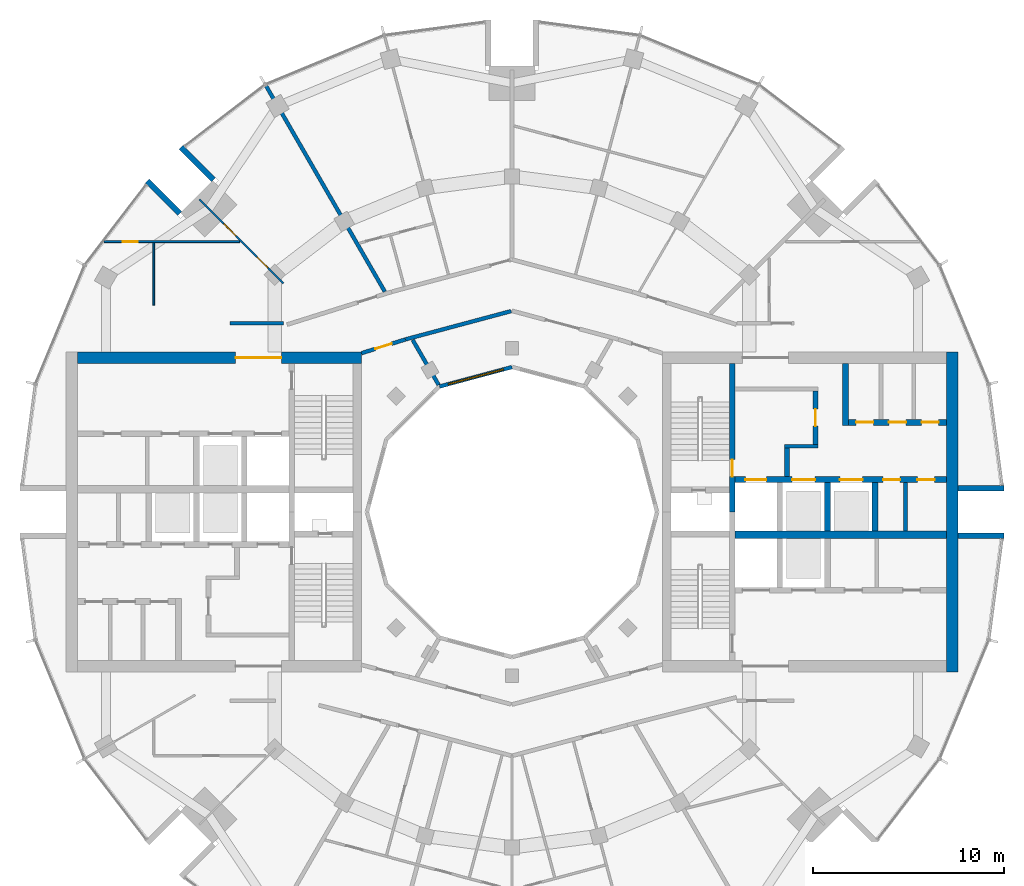
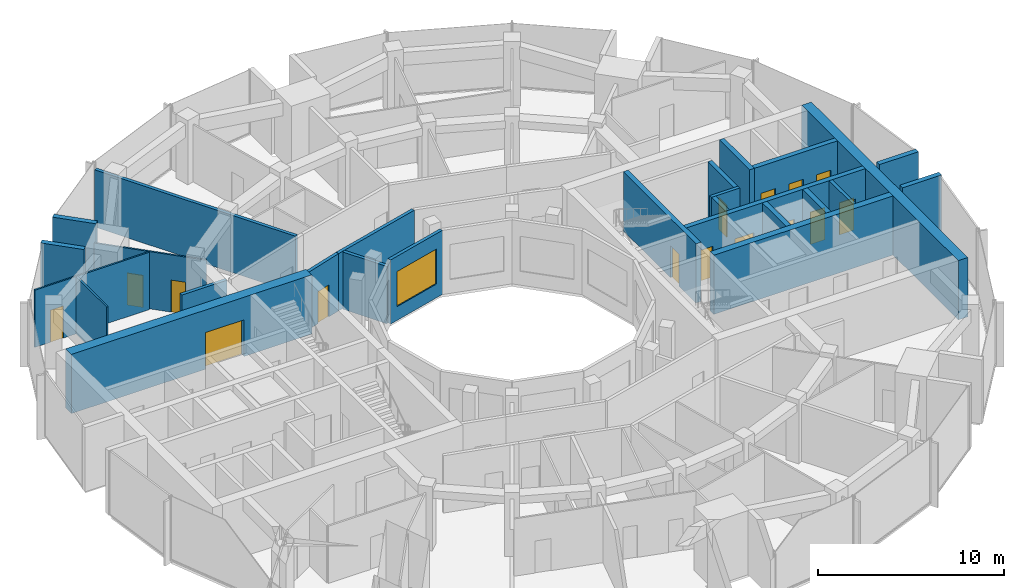
# One storey, part 11 of 15: 26 walls, 15 doors, 1 window, 16 openings.
"""IFC4 building model written with IfcOpenShell, lengths in metres."""

from ifc_helpers import new_model, si_unit, direction, frame, frame_2d, origin, place, context, subcontext, project, spatial, rectangle, extrude, material, layer, layer_set, type_object, element, fill, save


model = new_model("IFC4")

# Units and contexts
model_context = context("Model", 3, precision=1e-05, world=origin(), true_north=direction((0.0, 1.0)))
body_context = subcontext(model_context, "Body", "Model", "MODEL_VIEW")
ifc_project = project(units=[si_unit("LENGTHUNIT", "METRE"), si_unit("AREAUNIT", "SQUARE_METRE"), si_unit("VOLUMEUNIT", "CUBIC_METRE"), si_unit("PLANEANGLEUNIT", "RADIAN"), si_unit("MASSUNIT", "GRAM", prefix="KILO")], contexts=[model_context])

# Site, building, storey
site_placement = place(None, origin())
site = spatial("IfcSite", under=ifc_project, at=site_placement, CompositionType="ELEMENT")
building_placement = place(site_placement, origin())
building = spatial("IfcBuilding", under=site, at=building_placement, Name="Torre Brocal", CompositionType="ELEMENT")
storey_placement = place(building_placement, frame((0.0, 0.0, 212.5)))
storey = spatial("IfcBuildingStorey", under=building, at=storey_placement, Name="L49", CompositionType="ELEMENT", Elevation=212.5)

# Walls
ifc_material_1 = material(Name="Masonry block", Category="masonry")
ifc_layer_1 = layer(ifc_material_1, 0.199951171875)
ifc_layer_set_1 = layer_set([ifc_layer_1], Name="Masonry block")
wall_type_1 = type_object("IfcWallType", Name="CORE PARTITION 200", PredefinedType="PARTITIONING", material=ifc_layer_set_1)
wall_1_placement = place(storey_placement, frame((100.639892578125, 74.0, 0.0), z_axis=(0.0, 0.0, 1.0), x_axis=(0.0, 1.0, 0.0)))
element("IfcWall", 1, at=wall_1_placement, inside=storey, type_object=wall_type_1, Name="Wall CP200", PredefinedType="PARTITIONING", context=body_context, shape_type="SweptSolid", body=[
    extrude(rectangle(XDim=2.550048828125, YDim=0.199951171875, at=frame_2d((1.27490234375, 0.0))), origin(), (0.0, 0.0, 1.0), 3.8798828125),
])
ifc_material_2 = material(Name="Concrete C60", Category="concrete")
ifc_layer_2 = layer(ifc_material_2, 0.199951171875)
ifc_layer_set_2 = layer_set([ifc_layer_2], Name="Concrete C60")
wall_type_2 = type_object("IfcWallType", Name="CORE WALL 200 C60", PredefinedType="SHEAR", material=ifc_layer_set_2)
wall_2_placement = place(storey_placement, frame((94.300048828125, 78.449951171875, 0.0), z_axis=(0.0, 0.0, 1.0), x_axis=(1.0, 0.0, 0.0)))
element("IfcWall", 2, at=wall_2_placement, inside=storey, type_object=wall_type_2, Name="Wall CW200-60", PredefinedType="SHEAR", context=body_context, shape_type="SweptSolid", body=[
    extrude(rectangle(XDim=1.75, YDim=0.199951171875, at=frame_2d((0.875, 0.0))), origin(), (0.0, 0.0, 1.0), 3.8798828125),
])

# Wall, opening, door
ifc_material_3 = material(Name="Concrete C60", Category="concrete")
ifc_layer_3 = layer(ifc_material_3, 0.25)
ifc_layer_set_3 = layer_set([ifc_layer_3], Name="Concrete C60")
wall_type_3 = type_object("IfcWallType", Name="CORE WALL 250 C60", PredefinedType="SHEAR", material=ifc_layer_set_3)
wall_3_placement = place(storey_placement, frame((95.925048828125, 78.550048828125, 0.0), z_axis=(0.0, 0.0, 1.0), x_axis=(0.0, 1.0, 0.0)))
wall_3 = element("IfcWall", 3, at=wall_3_placement, inside=storey, type_object=wall_type_3, Name="Wall CW250-60", PredefinedType="SHEAR", context=body_context, shape_type="SweptSolid", body=[
    extrude(rectangle(XDim=2.800048828125, YDim=0.25, at=frame_2d((1.39990234375, 0.0))), origin(), (0.0, 0.0, 1.0), 3.8798828125),
])
opening_1_placement = place(wall_3_placement, frame((0.949951171875, 0.0, 0.0)))
opening_1 = element("IfcOpeningElement", 4, at=opening_1_placement, cuts=wall_3, Name="Opening E-D08", PredefinedType="OPENING", context=body_context, shape_type="SweptSolid", body=[
    extrude(rectangle(XDim=0.89990234375, YDim=2.10009765625, at=frame_2d((0.449951171875, 1.050048828125))), frame((0.0, 0.135009765625, 0.0), z_axis=(0.0, -1.0, 0.0), x_axis=(1.0, 0.0, 0.0)), (0.0, 0.0, 1.0), 0.27001953125),
])
ifc_material_4 = material(Name="Steel A653", Category="steel")
door_type_1 = type_object("IfcDoorType", Name="LOBBY DOOR FD120 900X2100", OperationType="SINGLE_SWING_RIGHT", PredefinedType="DOOR", material=ifc_material_4)
door_1_placement = place(opening_1_placement, origin())
door_1 = element("IfcDoor", 5, at=door_1_placement, inside=storey, type_object=door_type_1, Name="Door E-D08", OperationType="SINGLE_SWING_LEFT", OverallHeight=2.10009765625, OverallWidth=0.89990234375, PredefinedType="DOOR", context=body_context, shape_type="SweptSolid", body=[
    extrude(rectangle(XDim=0.89990234375, YDim=2.10009765625, at=frame_2d((0.449951171875, 1.050048828125))), frame((0.0, 0.02490234375, 0.0), z_axis=(0.0, -1.0, 0.0), x_axis=(1.0, 0.0, 0.0)), (0.0, 0.0, 1.0), 0.050048828125),
])
fill(opening_1, door_1)

# Wall
wall_4_placement = place(storey_placement, frame((94.425048828125, 76.85009765625, 0.0), z_axis=(0.0, 0.0, 1.0), x_axis=(0.0, 1.0, 0.0)))
element("IfcWall", 6, at=wall_4_placement, inside=storey, type_object=wall_type_3, Name="Wall CW250-60", PredefinedType="SHEAR", context=body_context, shape_type="SweptSolid", body=[
    extrude(rectangle(XDim=1.5, YDim=0.25, at=frame_2d((0.75, 0.0))), origin(), (0.0, 0.0, 1.0), 3.8798828125),
])

# Wall, opening, door
ifc_material_5 = material(Name="Concrete C60", Category="concrete")
ifc_layer_4 = layer(ifc_material_5, 0.300048828125)
ifc_layer_set_4 = layer_set([ifc_layer_4], Name="Concrete C60")
wall_type_4 = type_object("IfcWallType", Name="CORE WALL 300 C60", PredefinedType="SHEAR", material=ifc_layer_set_4)
wall_5_placement = place(storey_placement, frame((91.550048828125, 75.0, 0.0), z_axis=(0.0, 0.0, 1.0), x_axis=(0.0, 1.0, 0.0)))
wall_5 = element("IfcWall", 7, at=wall_5_placement, inside=storey, type_object=wall_type_4, Name="Wall CW300-60", PredefinedType="SHEAR", context=body_context, shape_type="SweptSolid", body=[
    extrude(rectangle(XDim=7.800048828125, YDim=0.300048828125, at=frame_2d((3.89990234375, 0.0))), origin(), (0.0, 0.0, 1.0), 3.8798828125),
])
opening_2_placement = place(wall_5_placement, frame((1.85009765625, 0.0, 0.0)))
opening_2 = element("IfcOpeningElement", 8, at=opening_2_placement, cuts=wall_5, Name="Opening E-D02", PredefinedType="OPENING", context=body_context, shape_type="SweptSolid", body=[
    extrude(rectangle(XDim=0.89990234375, YDim=2.10009765625, at=frame_2d((0.449951171875, 1.050048828125))), frame((0.0, 0.159912109375, 0.0), z_axis=(0.0, -1.0, 0.0), x_axis=(1.0, 0.0, 0.0)), (0.0, 0.0, 1.0), 0.320068359375),
])
ifc_material_6 = material(Name="Steel A653", Category="steel")
door_type_2 = type_object("IfcDoorType", Name="STAIR DOOR FD120 900X2100", OperationType="SINGLE_SWING_RIGHT", PredefinedType="DOOR", material=ifc_material_6)
door_2_placement = place(opening_2_placement, origin())
door_2 = element("IfcDoor", 9, at=door_2_placement, inside=storey, type_object=door_type_2, Name="Door E-D02", OperationType="SINGLE_SWING_LEFT", OverallHeight=2.10009765625, OverallWidth=0.89990234375, PredefinedType="DOOR", context=body_context, shape_type="SweptSolid", body=[
    extrude(rectangle(XDim=0.89990234375, YDim=2.10009765625, at=frame_2d((0.449951171875, 1.050048828125))), frame((0.0, 0.02490234375, 0.0), z_axis=(0.0, -1.0, 0.0), x_axis=(1.0, 0.0, 0.0)), (0.0, 0.0, 1.0), 0.050048828125),
])
fill(opening_2, door_2)

# Wall, openings, doors
wall_6_placement = place(storey_placement, frame((91.699951171875, 76.699951171875, 0.0), z_axis=(0.0, 0.0, 1.0), x_axis=(1.0, 0.0, 0.0)))
wall_6 = element("IfcWall", 10, at=wall_6_placement, inside=storey, type_object=wall_type_4, Name="Wall CW300-60", PredefinedType="SHEAR", context=body_context, shape_type="SweptSolid", body=[
    extrude(rectangle(XDim=11.10009765625, YDim=0.300048828125, at=frame_2d((5.550048828125, 0.0))), origin(), (0.0, 0.0, 1.0), 3.8798828125),
])
opening_3_placement = place(wall_6_placement, frame((0.550048828125, 0.0, 0.0)))
opening_3 = element("IfcOpeningElement", 11, at=opening_3_placement, cuts=wall_6, Name="Opening LD", PredefinedType="OPENING", context=body_context, shape_type="SweptSolid", body=[
    extrude(rectangle(XDim=1.10009765625, YDim=2.10009765625, at=frame_2d((0.550048828125, 1.050048828125))), frame((0.0, 0.159912109375, 0.0), z_axis=(0.0, -1.0, 0.0), x_axis=(1.0, 0.0, 0.0)), (0.0, 0.0, 1.0), 0.320068359375),
])
opening_4_placement = place(wall_6_placement, frame((3.0, 0.0, 0.0)))
opening_4 = element("IfcOpeningElement", 12, at=opening_4_placement, cuts=wall_6, Name="Opening LD12", PredefinedType="OPENING", context=body_context, shape_type="SweptSolid", body=[
    extrude(rectangle(XDim=1.199951171875, YDim=2.10009765625, at=frame_2d((0.60009765625, 1.050048828125))), frame((0.0, 0.159912109375, 0.0), z_axis=(0.0, -1.0, 0.0), x_axis=(1.0, 0.0, 0.0)), (0.0, 0.0, 1.0), 0.320068359375),
])
opening_5_placement = place(wall_6_placement, frame((5.5, 0.0, 0.0)))
opening_5 = element("IfcOpeningElement", 13, at=opening_5_placement, cuts=wall_6, Name="Opening LD12", PredefinedType="OPENING", context=body_context, shape_type="SweptSolid", body=[
    extrude(rectangle(XDim=1.199951171875, YDim=2.10009765625, at=frame_2d((0.60009765625, 1.050048828125))), frame((0.0, 0.159912109375, 0.0), z_axis=(0.0, -1.0, 0.0), x_axis=(1.0, 0.0, 0.0)), (0.0, 0.0, 1.0), 0.320068359375),
])
opening_6_placement = place(wall_6_placement, frame((7.77001953125, 0.0, 0.0)))
opening_6 = element("IfcOpeningElement", 14, at=opening_6_placement, cuts=wall_6, Name="Opening E-D04", PredefinedType="OPENING", context=body_context, shape_type="SweptSolid", body=[
    extrude(rectangle(XDim=0.89990234375, YDim=2.10009765625, at=frame_2d((0.449951171875, 1.050048828125))), frame((0.0, 0.159912109375, 0.0), z_axis=(0.0, -1.0, 0.0), x_axis=(1.0, 0.0, 0.0)), (0.0, 0.0, 1.0), 0.320068359375),
])
opening_7_placement = place(wall_6_placement, frame((9.570068359375, 0.0, 0.0)))
opening_7 = element("IfcOpeningElement", 15, at=opening_7_placement, cuts=wall_6, Name="Opening E-D05", PredefinedType="OPENING", context=body_context, shape_type="SweptSolid", body=[
    extrude(rectangle(XDim=0.89990234375, YDim=2.10009765625, at=frame_2d((0.449951171875, 1.050048828125))), frame((0.0, 0.159912109375, 0.0), z_axis=(0.0, -1.0, 0.0), x_axis=(1.0, 0.0, 0.0)), (0.0, 0.0, 1.0), 0.320068359375),
])
ifc_material_7 = material(Name="Stainless steel AISI 316", Category="steel")
door_type_3 = type_object("IfcDoorType", Name="LIFT LANDING DOOR 1100X2100", OperationType="DOUBLE_DOOR_SLIDING", PredefinedType="DOOR", material=ifc_material_7)
door_3_placement = place(opening_3_placement, origin())
door_3 = element("IfcDoor", 16, at=door_3_placement, inside=storey, type_object=door_type_3, Name="Door LD", OperationType="DOUBLE_DOOR_SLIDING", OverallHeight=2.10009765625, OverallWidth=1.10009765625, PredefinedType="DOOR", context=body_context, shape_type="SweptSolid", body=[
    extrude(rectangle(XDim=1.10009765625, YDim=2.10009765625, at=frame_2d((0.550048828125, 1.050048828125))), frame((0.0, 0.02490234375, 0.0), z_axis=(0.0, -1.0, 0.0), x_axis=(1.0, 0.0, 0.0)), (0.0, 0.0, 1.0), 0.050048828125),
])
fill(opening_3, door_3)
ifc_material_8 = material(Name="Stainless steel AISI 316", Category="steel")
door_type_4 = type_object("IfcDoorType", Name="LIFT LANDING DOOR 1200X2100", OperationType="DOUBLE_DOOR_SLIDING", PredefinedType="DOOR", material=ifc_material_8)
door_4_placement = place(opening_4_placement, origin())
door_4 = element("IfcDoor", 17, at=door_4_placement, inside=storey, type_object=door_type_4, Name="Door LD12", OperationType="DOUBLE_DOOR_SLIDING", OverallHeight=2.10009765625, OverallWidth=1.199951171875, PredefinedType="DOOR", context=body_context, shape_type="SweptSolid", body=[
    extrude(rectangle(XDim=1.199951171875, YDim=2.10009765625, at=frame_2d((0.60009765625, 1.050048828125))), frame((0.0, 0.02490234375, 0.0), z_axis=(0.0, -1.0, 0.0), x_axis=(1.0, 0.0, 0.0)), (0.0, 0.0, 1.0), 0.050048828125),
])
fill(opening_4, door_4)
door_5_placement = place(opening_5_placement, origin())
door_5 = element("IfcDoor", 18, at=door_5_placement, inside=storey, type_object=door_type_4, Name="Door LD12", OperationType="DOUBLE_DOOR_SLIDING", OverallHeight=2.10009765625, OverallWidth=1.199951171875, PredefinedType="DOOR", context=body_context, shape_type="SweptSolid", body=[
    extrude(rectangle(XDim=1.199951171875, YDim=2.10009765625, at=frame_2d((0.60009765625, 1.050048828125))), frame((0.0, 0.02490234375, 0.0), z_axis=(0.0, -1.0, 0.0), x_axis=(1.0, 0.0, 0.0)), (0.0, 0.0, 1.0), 0.050048828125),
])
fill(opening_5, door_5)
ifc_material_9 = material(Name="Steel A653", Category="steel")
door_type_5 = type_object("IfcDoorType", Name="ROOM DOOR FD30S 900X2100", OperationType="SINGLE_SWING_LEFT", PredefinedType="DOOR", material=ifc_material_9)
door_6_placement = place(opening_6_placement, frame((0.89990234375, 0.0, 0.0), z_axis=(0.0, 0.0, 1.0), x_axis=(-1.0, 0.0, 0.0)))
door_6 = element("IfcDoor", 19, at=door_6_placement, inside=storey, type_object=door_type_5, Name="Door E-D04", OperationType="SINGLE_SWING_LEFT", OverallHeight=2.10009765625, OverallWidth=0.89990234375, PredefinedType="DOOR", context=body_context, shape_type="SweptSolid", body=[
    extrude(rectangle(XDim=0.89990234375, YDim=2.10009765625, at=frame_2d((0.449951171875, 1.050048828125))), frame((0.0, 0.02490234375, 0.0), z_axis=(0.0, -1.0, 0.0), x_axis=(1.0, 0.0, 0.0)), (0.0, 0.0, 1.0), 0.050048828125),
])
fill(opening_6, door_6)
door_7_placement = place(opening_7_placement, frame((0.89990234375, 0.0, 0.0), z_axis=(0.0, 0.0, 1.0), x_axis=(-1.0, 0.0, 0.0)))
door_7 = element("IfcDoor", 20, at=door_7_placement, inside=storey, type_object=door_type_5, Name="Door E-D05", OperationType="SINGLE_SWING_RIGHT", OverallHeight=2.10009765625, OverallWidth=0.89990234375, PredefinedType="DOOR", context=body_context, shape_type="SweptSolid", body=[
    extrude(rectangle(XDim=0.89990234375, YDim=2.10009765625, at=frame_2d((0.449951171875, 1.050048828125))), frame((0.0, 0.02490234375, 0.0), z_axis=(0.0, -1.0, 0.0), x_axis=(1.0, 0.0, 0.0)), (0.0, 0.0, 1.0), 0.050048828125),
])
fill(opening_7, door_7)

# Walls
for number, where, z_axis, x_axis, name in (
    (21, (96.550048828125, 74.0, 0.0), (0.0, 0.0, 1.0), (0.0, 1.0, 0.0), "Wall CW300-60"),
    (22, (99.050048828125, 74.0, 0.0), (0.0, 0.0, 1.0), (0.0, 1.0, 0.0), "Wall CW300-60"),
):
    element("IfcWall", number, at=place(storey_placement, frame(where, z_axis=z_axis, x_axis=x_axis)), inside=storey, type_object=wall_type_4, Name=name, PredefinedType="SHEAR", context=body_context, shape_type="SweptSolid", body=[
        extrude(rectangle(XDim=2.550048828125, YDim=0.300048828125, at=frame_2d((1.27490234375, 0.0))), origin(), (0.0, 0.0, 1.0), 3.8798828125),
    ])
wall_7_placement = place(storey_placement, frame((97.5, 79.550048828125, 0.0), z_axis=(0.0, 0.0, 1.0), x_axis=(0.0, 1.0, 0.0)))
element("IfcWall", 23, at=wall_7_placement, inside=storey, type_object=wall_type_4, Name="Wall CW300-60", PredefinedType="SHEAR", context=body_context, shape_type="SweptSolid", body=[
    extrude(rectangle(XDim=3.25, YDim=0.300048828125, at=frame_2d((1.625, 0.0))), origin(), (0.0, 0.0, 1.0), 3.8798828125),
])

# Wall, openings, doors
wall_8_placement = place(storey_placement, frame((97.64990234375, 79.699951171875, 0.0), z_axis=(0.0, 0.0, 1.0), x_axis=(1.0, 0.0, 0.0)))
wall_8 = element("IfcWall", 24, at=wall_8_placement, inside=storey, type_object=wall_type_4, Name="Wall CW300-60", PredefinedType="SHEAR", context=body_context, shape_type="SweptSolid", body=[
    extrude(rectangle(XDim=5.150146484375, YDim=0.300048828125, at=frame_2d((2.5751953125, 0.0))), origin(), (0.0, 0.0, 1.0), 3.8798828125),
])
opening_8_placement = place(wall_8_placement, frame((0.408203125, 0.0, 0.0)))
opening_8 = element("IfcOpeningElement", 25, at=opening_8_placement, cuts=wall_8, Name="Opening E-D09", PredefinedType="OPENING", context=body_context, shape_type="SweptSolid", body=[
    extrude(rectangle(XDim=0.89990234375, YDim=2.10009765625, at=frame_2d((0.449951171875, 1.050048828125))), frame((0.0, 0.159912109375, 0.0), z_axis=(0.0, -1.0, 0.0), x_axis=(1.0, 0.0, 0.0)), (0.0, 0.0, 1.0), 0.320068359375),
])
opening_9_placement = place(wall_8_placement, frame((2.125, 0.0, 0.0)))
opening_9 = element("IfcOpeningElement", 26, at=opening_9_placement, cuts=wall_8, Name="Opening E-D10", PredefinedType="OPENING", context=body_context, shape_type="SweptSolid", body=[
    extrude(rectangle(XDim=0.89990234375, YDim=2.10009765625, at=frame_2d((0.449951171875, 1.050048828125))), frame((0.0, 0.159912109375, 0.0), z_axis=(0.0, -1.0, 0.0), x_axis=(1.0, 0.0, 0.0)), (0.0, 0.0, 1.0), 0.320068359375),
])
opening_10_placement = place(wall_8_placement, frame((3.841796875, 0.0, 0.0)))
opening_10 = element("IfcOpeningElement", 27, at=opening_10_placement, cuts=wall_8, Name="Opening E-D11", PredefinedType="OPENING", context=body_context, shape_type="SweptSolid", body=[
    extrude(rectangle(XDim=0.89990234375, YDim=2.10009765625, at=frame_2d((0.449951171875, 1.050048828125))), frame((0.0, 0.159912109375, 0.0), z_axis=(0.0, -1.0, 0.0), x_axis=(1.0, 0.0, 0.0)), (0.0, 0.0, 1.0), 0.320068359375),
])
door_8_placement = place(opening_8_placement, origin())
door_8 = element("IfcDoor", 28, at=door_8_placement, inside=storey, type_object=door_type_5, Name="Door E-D09", OperationType="SINGLE_SWING_RIGHT", OverallHeight=2.10009765625, OverallWidth=0.89990234375, PredefinedType="DOOR", context=body_context, shape_type="SweptSolid", body=[
    extrude(rectangle(XDim=0.89990234375, YDim=2.10009765625, at=frame_2d((0.449951171875, 1.050048828125))), frame((0.0, 0.02490234375, 0.0), z_axis=(0.0, -1.0, 0.0), x_axis=(1.0, 0.0, 0.0)), (0.0, 0.0, 1.0), 0.050048828125),
])
fill(opening_8, door_8)
door_9_placement = place(opening_9_placement, origin())
door_9 = element("IfcDoor", 29, at=door_9_placement, inside=storey, type_object=door_type_5, Name="Door E-D10", OperationType="SINGLE_SWING_RIGHT", OverallHeight=2.10009765625, OverallWidth=0.89990234375, PredefinedType="DOOR", context=body_context, shape_type="SweptSolid", body=[
    extrude(rectangle(XDim=0.89990234375, YDim=2.10009765625, at=frame_2d((0.449951171875, 1.050048828125))), frame((0.0, 0.02490234375, 0.0), z_axis=(0.0, -1.0, 0.0), x_axis=(1.0, 0.0, 0.0)), (0.0, 0.0, 1.0), 0.050048828125),
])
fill(opening_9, door_9)
door_10_placement = place(opening_10_placement, origin())
door_10 = element("IfcDoor", 30, at=door_10_placement, inside=storey, type_object=door_type_5, Name="Door E-D11", OperationType="SINGLE_SWING_LEFT", OverallHeight=2.10009765625, OverallWidth=0.89990234375, PredefinedType="DOOR", context=body_context, shape_type="SweptSolid", body=[
    extrude(rectangle(XDim=0.89990234375, YDim=2.10009765625, at=frame_2d((0.449951171875, 1.050048828125))), frame((0.0, 0.02490234375, 0.0), z_axis=(0.0, -1.0, 0.0), x_axis=(1.0, 0.0, 0.0)), (0.0, 0.0, 1.0), 0.050048828125),
])
fill(opening_10, door_10)

# Walls
ifc_material_10 = material(Name="Concrete C60", Category="concrete")
ifc_layer_5 = layer(ifc_material_10, 0.39990234375)
ifc_layer_set_5 = layer_set([ifc_layer_5], Name="Concrete C60")
wall_type_5 = type_object("IfcWallType", Name="CORE WALL 400 C60", PredefinedType="SHEAR", material=ifc_layer_set_5)
wall_9_placement = place(storey_placement, frame((91.699951171875, 73.800048828125, 0.0), z_axis=(0.0, 0.0, 1.0), x_axis=(1.0, 0.0, 0.0)))
element("IfcWall", 31, at=wall_9_placement, inside=storey, type_object=wall_type_5, Name="Wall CW400-60", PredefinedType="SHEAR", context=body_context, shape_type="SweptSolid", body=[
    extrude(rectangle(XDim=11.10009765625, YDim=0.39990234375, at=frame_2d((5.550048828125, 0.0))), origin(), (0.0, 0.0, 1.0), 3.8798828125),
])
ifc_material_11 = material(Name="Concrete C60", Category="concrete")
ifc_layer_6 = layer(ifc_material_11, 0.60009765625)
ifc_layer_set_6 = layer_set([ifc_layer_6], Name="Concrete C60")
wall_type_6 = type_object("IfcWallType", Name="CORE WALL 600 C60", PredefinedType="SHEAR", material=ifc_layer_set_6)
wall_10_placement = place(storey_placement, frame((103.10009765625, 66.60009765625, 0.0), z_axis=(0.0, 0.0, 1.0), x_axis=(0.0, 1.0, 0.0)))
element("IfcWall", 32, at=wall_10_placement, inside=storey, type_object=wall_type_6, Name="Wall CW600-60", PredefinedType="SHEAR", context=body_context, shape_type="SweptSolid", body=[
    extrude(rectangle(XDim=16.7998046875, YDim=0.60009765625, at=frame_2d((8.39990234375, 0.0))), origin(), (0.0, 0.0, 1.0), 3.8798828125),
])

# Wall, opening, door
wall_11_placement = place(storey_placement, frame((72.10009765625, 83.10009765625, 0.0), z_axis=(0.0, 0.0, 1.0), x_axis=(-1.0, 0.0, 0.0)))
wall_11 = element("IfcWall", 33, at=wall_11_placement, inside=storey, type_object=wall_type_6, Name="Wall CW600-60", PredefinedType="SHEAR", context=body_context, shape_type="SweptSolid", body=[
    extrude(rectangle(XDim=14.900146484375, YDim=0.60009765625, at=frame_2d((7.4501953125, 0.0))), origin(), (0.0, 0.0, 1.0), 3.8798828125),
])
opening_11_placement = place(wall_11_placement, frame((4.199951171875, 0.0, 0.0)))
opening_11 = element("IfcOpeningElement", 34, at=opening_11_placement, cuts=wall_11, Name="Opening W-D13", PredefinedType="OPENING", context=body_context, shape_type="SweptSolid", body=[
    extrude(rectangle(XDim=2.39990234375, YDim=2.39990234375, at=frame_2d((1.199951171875, 1.199951171875))), frame((0.0, 0.31005859375, 0.0), z_axis=(0.0, -1.0, 0.0), x_axis=(1.0, 0.0, 0.0)), (0.0, 0.0, 1.0), 0.6201171875),
])
ifc_material_12 = material(Name="Steel A653", Category="steel")
door_type_6 = type_object("IfcDoorType", Name="DOUBLE FIRE DOOR FD90 2400X2400", OperationType="DOUBLE_DOOR_SINGLE_SWING", PredefinedType="DOOR", material=ifc_material_12)
door_11_placement = place(opening_11_placement, origin())
door_11 = element("IfcDoor", 35, at=door_11_placement, inside=storey, type_object=door_type_6, Name="Door W-D13", OperationType="DOUBLE_DOOR_SINGLE_SWING", OverallHeight=2.39990234375, OverallWidth=2.39990234375, PredefinedType="DOOR", context=body_context, shape_type="SweptSolid", body=[
    extrude(rectangle(XDim=2.39990234375, YDim=2.39990234375, at=frame_2d((1.199951171875, 1.199951171875))), frame((0.0, 0.02490234375, 0.0), z_axis=(0.0, -1.0, 0.0), x_axis=(1.0, 0.0, 0.0)), (0.0, 0.0, 1.0), 0.050048828125),
])
fill(opening_11, door_11)

# Walls
ifc_material_13 = material(Name="Concrete C60", Category="concrete")
ifc_layer_7 = layer(ifc_material_13, 0.300048828125)
ifc_layer_set_7 = layer_set([ifc_layer_7], Name="Concrete C60")
wall_type_7 = type_object("IfcWallType", Name="NOTCH RETURN WALL 300 C60", PredefinedType="NOTDEFINED", material=ifc_layer_set_7)
for number, where, z_axis, x_axis, name in (
    (36, (103.39990234375, 73.75, 0.0), (0.0, 0.0, 1.0), (1.0, 0.0, 0.0), "NOTCH RETURN WALL"),
    (37, (103.39990234375, 76.25, 0.0), (0.0, 0.0, 1.0), (1.0, 0.0, 0.0), "NOTCH RETURN WALL"),
    (38, (64.337646484375, 92.43017578125, 0.0), (0.0, 0.0, 1.0), (-0.707106781187, 0.707106781187, 0.0), "NOTCH RETURN WALL"),
    (39, (62.56982421875, 90.662353515625, 0.0), (0.0, 0.0, 1.0), (-0.707106781187, 0.707106781187, 0.0), "NOTCH RETURN WALL"),
):
    element("IfcWall", number, at=place(storey_placement, frame(where, z_axis=z_axis, x_axis=x_axis)), inside=storey, type_object=wall_type_7, Name=name, PredefinedType="NOTDEFINED", context=body_context, shape_type="SweptSolid", body=[
        extrude(rectangle(XDim=2.415771484375, YDim=0.300048828125, at=frame_2d((1.2080078125, 0.0))), origin(), (0.0, 0.0, 1.0), 4.199951171875),
    ])

# Wall, opening, door
ifc_material_14 = material(Name="Gypsum board", Category="Gypsum")
ifc_layer_8 = layer(ifc_material_14, 0.10009765625)
ifc_layer_set_8 = layer_set([ifc_layer_8], Name="Gypsum board")
wall_type_8 = type_object("IfcWallType", Name="PARTITION 100", PredefinedType="PARTITIONING", material=ifc_layer_set_8)
wall_12_placement = place(storey_placement, frame((58.60009765625, 89.18798828125, 0.0), z_axis=(0.0, 0.0, 1.0), x_axis=(1.0, 0.0, 0.0)))
wall_12 = element("IfcWall", 40, at=wall_12_placement, inside=storey, type_object=wall_type_8, Name="BATHROOM WALL", PredefinedType="PARTITIONING", context=body_context, shape_type="SweptSolid", body=[
    extrude(rectangle(XDim=7.101806640625, YDim=0.10009765625, at=frame_2d((3.55078125, 0.0))), origin(), (0.0, 0.0, 1.0), 3.75),
])
opening_12_placement = place(wall_12_placement, frame((0.965087890625, 0.0, 0.0)))
opening_12 = element("IfcOpeningElement", 41, at=opening_12_placement, cuts=wall_12, Name="Opening B01-D15", PredefinedType="OPENING", context=body_context, shape_type="SweptSolid", body=[
    extrude(rectangle(XDim=0.800048828125, YDim=2.10009765625, at=frame_2d((0.39990234375, 1.050048828125))), frame((0.0, 0.06005859375, 0.0), z_axis=(0.0, -1.0, 0.0), x_axis=(1.0, 0.0, 0.0)), (0.0, 0.0, 1.0), 0.1201171875),
])
ifc_material_15 = material(Name="Timber", Category="wood")
door_type_7 = type_object("IfcDoorType", Name="BATHROOM DOOR 800X2100", OperationType="SINGLE_SWING_LEFT", PredefinedType="DOOR", material=ifc_material_15)
door_12_placement = place(opening_12_placement, frame((0.800048828125, 0.0, 0.0), z_axis=(0.0, 0.0, 1.0), x_axis=(-1.0, 0.0, 0.0)))
door_12 = element("IfcDoor", 42, at=door_12_placement, inside=storey, type_object=door_type_7, Name="B01-D15", OperationType="SINGLE_SWING_LEFT", OverallHeight=2.10009765625, OverallWidth=0.800048828125, PredefinedType="DOOR", context=body_context, shape_type="SweptSolid", body=[
    extrude(rectangle(XDim=0.800048828125, YDim=2.10009765625, at=frame_2d((0.39990234375, 1.050048828125))), frame((0.0, 0.02490234375, 0.0), z_axis=(0.0, -1.0, 0.0), x_axis=(1.0, 0.0, 0.0)), (0.0, 0.0, 1.0), 0.050048828125),
])
fill(opening_12, door_12)

# Wall
wall_13_placement = place(storey_placement, frame((61.199951171875, 85.85498046875, 0.0), z_axis=(0.0, 0.0, 1.0), x_axis=(0.0, 1.0, 0.0)))
element("IfcWall", 43, at=wall_13_placement, inside=storey, type_object=wall_type_8, Name="BATHROOM WALL", PredefinedType="PARTITIONING", context=body_context, shape_type="SweptSolid", body=[
    extrude(rectangle(XDim=3.282958984375, YDim=0.10009765625, at=frame_2d((1.6416015625, 0.0))), origin(), (0.0, 0.0, 1.0), 3.75),
])

# Wall, openings, doors
wall_14_placement = place(storey_placement, frame((63.598388671875, 91.408203125, 0.0), z_axis=(0.0, 0.0, 1.0), x_axis=(0.70693039891, -0.707283119477, 0.0)))
wall_14 = element("IfcWall", 44, at=wall_14_placement, inside=storey, type_object=wall_type_8, Name="BATHROOM WALL", PredefinedType="PARTITIONING", context=body_context, shape_type="SweptSolid", body=[
    extrude(rectangle(XDim=6.2294921875, YDim=0.10009765625, at=frame_2d((3.11474609375, 0.0))), origin(), (0.0, 0.0, 1.0), 3.75),
])
opening_13_placement = place(wall_14_placement, frame((1.819091796875, 0.0, 0.0)))
opening_13 = element("IfcOpeningElement", 45, at=opening_13_placement, cuts=wall_14, Name="Opening B01-D14", PredefinedType="OPENING", context=body_context, shape_type="SweptSolid", body=[
    extrude(rectangle(XDim=0.89990234375, YDim=2.10009765625, at=frame_2d((0.449951171875, 1.050048828125))), frame((0.0, 0.06005859375, 0.0), z_axis=(0.0, -1.0, 0.0), x_axis=(1.0, 0.0, 0.0)), (0.0, 0.0, 1.0), 0.1201171875),
])
opening_14_placement = place(wall_14_placement, frame((4.2822265625, 0.0, 0.0)))
opening_14 = element("IfcOpeningElement", 46, at=opening_14_placement, cuts=wall_14, Name="Opening B01-D16", PredefinedType="OPENING", context=body_context, shape_type="SweptSolid", body=[
    extrude(rectangle(XDim=0.800048828125, YDim=2.10009765625, at=frame_2d((0.39990234375, 1.050048828125))), frame((0.0, 0.06005859375, 0.0), z_axis=(0.0, -1.0, 0.0), x_axis=(1.0, 0.0, 0.0)), (0.0, 0.0, 1.0), 0.1201171875),
])
door_13_placement = place(opening_14_placement, frame((0.800048828125, 0.0, 0.0), z_axis=(0.0, 0.0, 1.0), x_axis=(-1.0, 0.0, 0.0)))
door_13 = element("IfcDoor", 47, at=door_13_placement, inside=storey, type_object=door_type_7, Name="B01-D16", OperationType="SINGLE_SWING_RIGHT", OverallHeight=2.10009765625, OverallWidth=0.800048828125, PredefinedType="DOOR", context=body_context, shape_type="SweptSolid", body=[
    extrude(rectangle(XDim=0.800048828125, YDim=2.10009765625, at=frame_2d((0.39990234375, 1.050048828125))), frame((0.0, 0.02490234375, 0.0), z_axis=(0.0, -1.0, 0.0), x_axis=(1.0, 0.0, 0.0)), (0.0, 0.0, 1.0), 0.050048828125),
])
fill(opening_14, door_13)
ifc_material_16 = material(Name="Timber", Category="wood")
door_type_8 = type_object("IfcDoorType", Name="ROOM DOOR 900X2100", OperationType="SINGLE_SWING_LEFT", PredefinedType="DOOR", material=ifc_material_16)
door_14_placement = place(opening_13_placement, frame((0.89990234375, 0.0, 0.0), z_axis=(0.0, 0.0, 1.0), x_axis=(-1.0, 0.0, 0.0)))
door_14 = element("IfcDoor", 48, at=door_14_placement, inside=storey, type_object=door_type_8, Name="B01-D14", OperationType="SINGLE_SWING_RIGHT", OverallHeight=2.10009765625, OverallWidth=0.89990234375, PredefinedType="DOOR", context=body_context, shape_type="SweptSolid", body=[
    extrude(rectangle(XDim=0.89990234375, YDim=2.10009765625, at=frame_2d((0.449951171875, 1.050048828125))), frame((0.0, 0.02490234375, 0.0), z_axis=(0.0, -1.0, 0.0), x_axis=(1.0, 0.0, 0.0)), (0.0, 0.0, 1.0), 0.050048828125),
])
fill(opening_13, door_14)

# Walls
ifc_material_17 = material(Name="Gypsum board", Category="Gypsum")
ifc_layer_9 = layer(ifc_material_17, 0.199951171875)
ifc_layer_set_9 = layer_set([ifc_layer_9], Name="Gypsum board")
wall_type_9 = type_object("IfcWallType", Name="PARTITION 200 EI60", PredefinedType="PARTITIONING", material=ifc_layer_set_9)
wall_15_placement = place(storey_placement, frame((65.199951171875, 84.89990234375, 0.0), z_axis=(0.0, 0.0, 1.0), x_axis=(1.0, 0.0, 0.0)))
element("IfcWall", 49, at=wall_15_placement, inside=storey, type_object=wall_type_9, Name="CORRIDOR WALL", PredefinedType="PARTITIONING", context=body_context, shape_type="SweptSolid", body=[
    extrude(rectangle(XDim=2.800048828125, YDim=0.199951171875, at=frame_2d((1.39990234375, 0.0))), origin(), (0.0, 0.0, 1.0), 3.75),
])
wall_16_placement = place(storey_placement, frame((67.105224609375, 97.34375, 0.0), z_axis=(0.0, 0.0, 1.0), x_axis=(0.499841888023, -0.866116670534, 0.0)))
element("IfcWall", 50, at=wall_16_placement, inside=storey, type_object=wall_type_9, Name="BATHROOM WALL", PredefinedType="PARTITIONING", context=body_context, shape_type="SweptSolid", body=[
    extrude(rectangle(XDim=12.44580078125, YDim=0.199951171875, at=frame_2d((6.222900390625, 0.0))), origin(), (0.0, 0.0, 1.0), 3.75),
])

# Wall, opening, door
wall_17_placement = place(storey_placement, frame((72.10009765625, 83.33203125, 0.0), z_axis=(0.0, 0.0, 1.0), x_axis=(0.954233106619, 0.299063836383, 0.0)))
wall_17 = element("IfcWall", 51, at=wall_17_placement, inside=storey, type_object=wall_type_9, Name="CORRIDOR WALL", PredefinedType="PARTITIONING", context=body_context, shape_type="SweptSolid", body=[
    extrude(rectangle(XDim=2.4140625, YDim=0.199951171875, at=frame_2d((1.20703125, 0.0))), origin(), (0.0, 0.0, 1.0), 3.75),
])
opening_15_placement = place(wall_17_placement, frame((0.761962890625, 0.0, 0.0)))
opening_15 = element("IfcOpeningElement", 52, at=opening_15_placement, cuts=wall_17, Name="Opening B01-D19", PredefinedType="OPENING", context=body_context, shape_type="SweptSolid", body=[
    extrude(rectangle(XDim=0.89990234375, YDim=2.10009765625, at=frame_2d((0.449951171875, 1.050048828125))), frame((0.0, 0.10986328125, 0.0), z_axis=(0.0, -1.0, 0.0), x_axis=(1.0, 0.0, 0.0)), (0.0, 0.0, 1.0), 0.219970703125),
])
door_15_placement = place(opening_15_placement, frame((0.89990234375, 0.0, 0.0), z_axis=(0.0, 0.0, 1.0), x_axis=(-1.0, 0.0, 0.0)))
door_15 = element("IfcDoor", 53, at=door_15_placement, inside=storey, type_object=door_type_8, Name="B01-D19", OperationType="SINGLE_SWING_RIGHT", OverallHeight=2.10009765625, OverallWidth=0.89990234375, PredefinedType="DOOR", context=body_context, shape_type="SweptSolid", body=[
    extrude(rectangle(XDim=0.89990234375, YDim=2.10009765625, at=frame_2d((0.449951171875, 1.050048828125))), frame((0.0, 0.02490234375, 0.0), z_axis=(0.0, -1.0, 0.0), x_axis=(1.0, 0.0, 0.0)), (0.0, 0.0, 1.0), 0.050048828125),
])
fill(opening_15, door_15)

# Walls
wall_18_placement = place(storey_placement, frame((74.412841796875, 84.05712890625, 0.0), z_axis=(0.0, 0.0, 1.0), x_axis=(0.965970849692, 0.258650956976, 0.0)))
element("IfcWall", 54, at=wall_18_placement, inside=storey, type_object=wall_type_9, Name="CORRIDOR WALL", PredefinedType="PARTITIONING", context=body_context, shape_type="SweptSolid", body=[
    extrude(rectangle(XDim=5.734130859375, YDim=0.199951171875, at=frame_2d((2.8671875, 0.0))), origin(), (0.0, 0.0, 1.0), 3.75),
])
wall_19_placement = place(storey_placement, frame((74.78955078125, 84.0283203125, 0.0), z_axis=(0.0, 0.0, 1.0), x_axis=(0.499820708267, -0.866128893172, 0.0)))
element("IfcWall", 55, at=wall_19_placement, inside=storey, type_object=wall_type_9, Name="SERVICE ROOM WALL", PredefinedType="PARTITIONING", context=body_context, shape_type="SweptSolid", body=[
    extrude(rectangle(XDim=2.724609375, YDim=0.199951171875, at=frame_2d((1.3623046875, 0.0))), origin(), (0.0, 0.0, 1.0), 3.75),
])

# Wall, opening, window
ifc_material_18 = material(Name="Concrete C40", Category="concrete")
ifc_layer_10 = layer(ifc_material_18, 0.199951171875)
ifc_layer_set_10 = layer_set([ifc_layer_10], Name="Concrete C40")
wall_type_10 = type_object("IfcWallType", Name="WELL FACADE WALL 200", PredefinedType="NOTDEFINED", material=ifc_layer_set_10)
wall_20_placement = place(storey_placement, frame((80.0, 82.603515625, 0.0), z_axis=(0.0, 0.0, 1.0), x_axis=(-0.965933654434, -0.258789828301, 0.0)))
wall_20 = element("IfcWall", 56, at=wall_20_placement, inside=storey, type_object=wall_type_10, Name="WELL FACADE WALL", PredefinedType="NOTDEFINED", context=body_context, shape_type="SweptSolid", body=[
    extrude(rectangle(XDim=3.935791015625, YDim=0.199951171875, at=frame_2d((1.9677734375, 0.0))), origin(), (0.0, 0.0, 1.0), 4.199951171875),
])
opening_16_placement = place(wall_20_placement, frame((0.468017578125, 0.0, 0.89990234375)))
opening_16 = element("IfcOpeningElement", 57, at=opening_16_placement, cuts=wall_20, Name="Opening W1", PredefinedType="OPENING", context=body_context, shape_type="SweptSolid", body=[
    extrude(rectangle(XDim=3.0, YDim=2.300048828125, at=frame_2d((1.5, 1.14990234375))), frame((0.0, 0.10986328125, 0.0), z_axis=(0.0, -1.0, 0.0), x_axis=(1.0, 0.0, 0.0)), (0.0, 0.0, 1.0), 0.219970703125),
])
ifc_material_19 = material(Name="Aluminium and glass", Category="aluminium")
window_type = type_object("IfcWindowType", Name="WELL WINDOW 3000X2300", PartitioningType="SINGLE_PANEL", PredefinedType="WINDOW", material=ifc_material_19)
window_placement = place(opening_16_placement, origin())
window = element("IfcWindow", 58, at=window_placement, inside=storey, type_object=window_type, Name="WELL WINDOW 3000X2300", OverallHeight=2.300048828125, OverallWidth=3.0, PartitioningType="SINGLE_PANEL", PredefinedType="WINDOW", context=body_context, shape_type="SweptSolid", body=[
    extrude(rectangle(XDim=3.0, YDim=2.300048828125, at=frame_2d((1.5, 1.14990234375))), frame((0.0, 0.030029296875, 0.0), z_axis=(0.0, -1.0, 0.0), x_axis=(1.0, 0.0, 0.0)), (0.0, 0.0, 1.0), 0.06005859375),
])
fill(opening_16, window)

save(model, "model.ifc")
